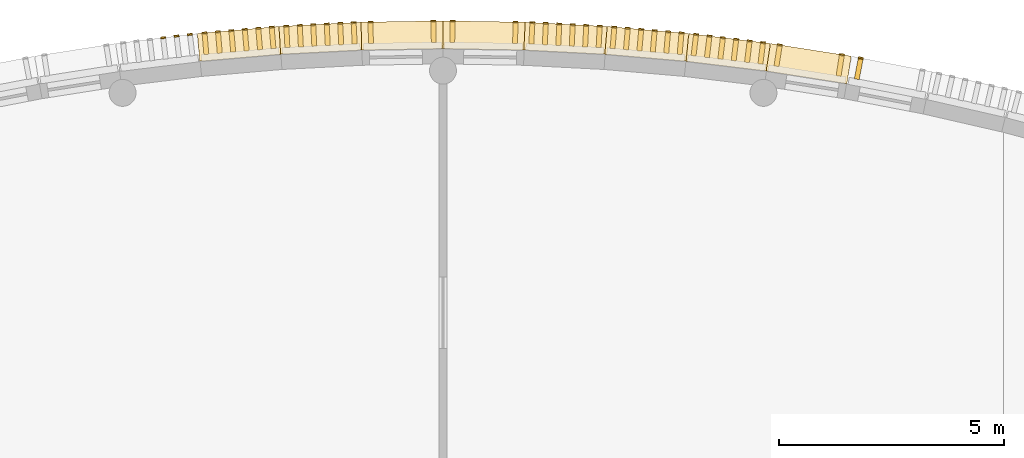
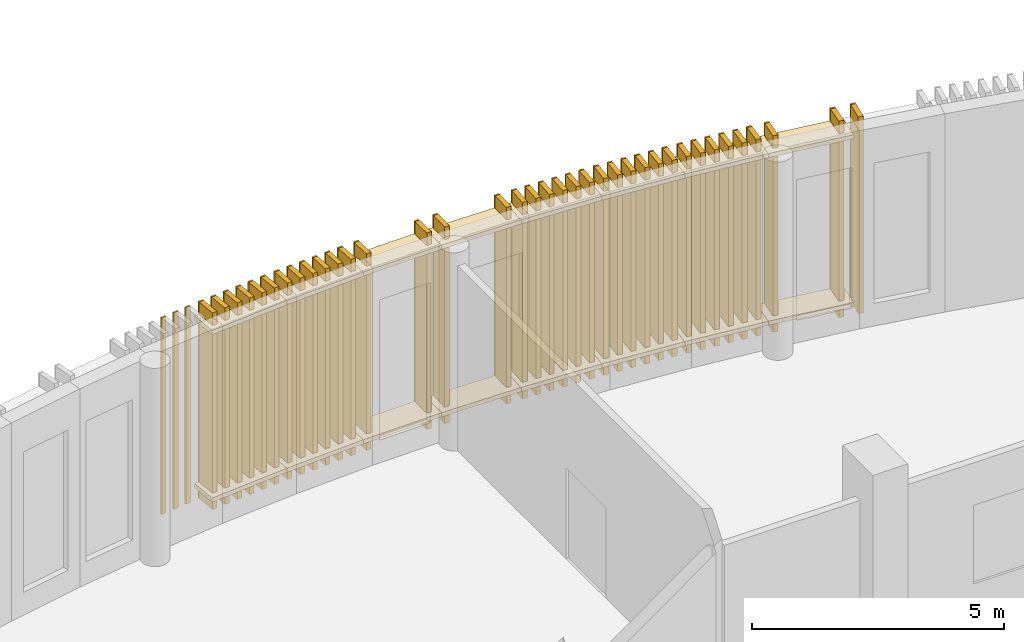
# One storey, part 75 of 82: 56 coverings, 37 shading devices.
"""IFC4 building model written with IfcOpenShell, lengths in metres."""

from ifc_helpers import new_model, si_unit, direction, frame, origin, origin_2d, place, context, subcontext, project, spatial, rectangle, extrude, material, layer, layer_set, type_object, element, save


model = new_model("IFC4")

# Units and contexts
model_context = context("Model", 3, precision=1e-05, world=origin(), true_north=direction((0.0, 1.0)))
body_context = subcontext(model_context, "Body", "Model", "MODEL_VIEW")
ifc_project = project(units=[si_unit("LENGTHUNIT", "METRE"), si_unit("AREAUNIT", "SQUARE_METRE"), si_unit("VOLUMEUNIT", "CUBIC_METRE"), si_unit("PLANEANGLEUNIT", "RADIAN"), si_unit("MASSUNIT", "GRAM", prefix="KILO")], contexts=[model_context])

# Site, building, storey
site_placement = place(None, origin())
site = spatial("IfcSite", under=ifc_project, at=site_placement, CompositionType="ELEMENT")
building_placement = place(site_placement, origin())
building = spatial("IfcBuilding", under=site, at=building_placement, Name="Sardonyx Promenade Sports Hall", CompositionType="ELEMENT")
storey_placement = place(building_placement, frame((0.0, 0.0, 11.199951171875)))
storey = spatial("IfcBuildingStorey", under=building, at=storey_placement, Name="L02", CompositionType="ELEMENT", Elevation=11.199951171875)

# Coverings
ifc_material_1 = material(Name="Glulam GL28h", Category="wood")
ifc_layer = layer(ifc_material_1, 0.110107421875)
ifc_layer_set = layer_set([ifc_layer], Name="Cov_Louvre_GL28h")
covering_type = type_object("IfcCoveringType", Name="Cov_Louvre_GL28h", PredefinedType="MOLDING", material=ifc_layer_set)
for number, where, z_axis, x_axis, name in (
    (1, (47.76953125, 115.61328125, 0.02001953125), (0.0, 0.0, 1.0), (0.992669221255, 0.120862803098, 0.0), "Timber louvre nose molding L02 CH11 #4"),
    (2, (48.067138671875, 115.649658203125, 0.02001953125), (0.0, 0.0, 1.0), (0.992669221255, 0.120862803098, 0.0), "Timber louvre nose molding L02 CH11 #5"),
    (3, (48.364990234375, 115.68603515625, 0.02001953125), (0.0, 0.0, 1.0), (0.992669221255, 0.120862803098, 0.0), "Timber louvre nose molding L02 CH11 #6"),
):
    element("IfcCovering", number, at=place(storey_placement, frame(where, z_axis=z_axis, x_axis=x_axis)), inside=storey, type_object=covering_type, Name=name, PredefinedType="MOLDING", context=body_context, shape_type="SweptSolid", body=[
        extrude(rectangle(XDim=0.110107421875, YDim=0.0400390625, at=origin_2d()), origin(), (0.0, 0.0, 1.0), 4.760009765625),
    ])
for number, where, z_axis, x_axis, name in (
    (4, (49.464599609375, 115.475830078125, 0.320068359375), (0.0, 0.0, 1.0), (0.99625756469, 0.086434164533, 0.0), "Bowed louvre carrier rail L02 CH12 #1"),
    (5, (49.464599609375, 115.475830078125, 4.3798828125), (0.0, 0.0, 1.0), (0.99625756469, 0.086434164533, 0.0), "Bowed louvre carrier rail L02 CH12 #2"),
):
    element("IfcCovering", number, at=place(storey_placement, frame(where, z_axis=z_axis, x_axis=x_axis)), inside=storey, type_object=covering_type, Name=name, PredefinedType="MOLDING", context=body_context, shape_type="SweptSolid", body=[
        extrude(rectangle(XDim=1.820068359375, YDim=0.6201171875, at=origin_2d()), origin(), (0.0, 0.0, 1.0), 0.10009765625),
    ])
for number, where, z_axis, x_axis, name in (
    (6, (48.690673828125, 115.7197265625, 0.02001953125), (0.0, 0.0, 1.0), (0.99625756469, 0.086434164533, 0.0), "Timber louvre nose molding L02 CH12 #1"),
    (7, (48.989501953125, 115.745849609375, 0.02001953125), (0.0, 0.0, 1.0), (0.99625756469, 0.086434164533, 0.0), "Timber louvre nose molding L02 CH12 #2"),
    (8, (49.288330078125, 115.771728515625, 0.02001953125), (0.0, 0.0, 1.0), (0.99625756469, 0.086434164533, 0.0), "Timber louvre nose molding L02 CH12 #3"),
    (9, (49.587158203125, 115.797607421875, 0.02001953125), (0.0, 0.0, 1.0), (0.99625756469, 0.086434164533, 0.0), "Timber louvre nose molding L02 CH12 #4"),
    (10, (49.885986328125, 115.823486328125, 0.02001953125), (0.0, 0.0, 1.0), (0.99625756469, 0.086434164533, 0.0), "Timber louvre nose molding L02 CH12 #5"),
    (11, (50.18505859375, 115.849609375, 0.02001953125), (0.0, 0.0, 1.0), (0.99625756469, 0.086434164533, 0.0), "Timber louvre nose molding L02 CH12 #6"),
):
    element("IfcCovering", number, at=place(storey_placement, frame(where, z_axis=z_axis, x_axis=x_axis)), inside=storey, type_object=covering_type, Name=name, PredefinedType="MOLDING", context=body_context, shape_type="SweptSolid", body=[
        extrude(rectangle(XDim=0.110107421875, YDim=0.0400390625, at=origin_2d()), origin(), (0.0, 0.0, 1.0), 4.760009765625),
    ])
for number, where, z_axis, x_axis, name in (
    (12, (51.276611328125, 115.6015625, 0.320068359375), (0.0, 0.0, 1.0), (0.998652184976, 0.051901959917, 0.0), "Bowed louvre carrier rail L02 CH13 #1"),
    (13, (51.276611328125, 115.6015625, 4.3798828125), (0.0, 0.0, 1.0), (0.998652184976, 0.051901959917, 0.0), "Bowed louvre carrier rail L02 CH13 #2"),
):
    element("IfcCovering", number, at=place(storey_placement, frame(where, z_axis=z_axis, x_axis=x_axis)), inside=storey, type_object=covering_type, Name=name, PredefinedType="MOLDING", context=body_context, shape_type="SweptSolid", body=[
        extrude(rectangle(XDim=1.820068359375, YDim=0.6201171875, at=origin_2d()), origin(), (0.0, 0.0, 1.0), 0.10009765625),
    ])
for number, where, z_axis, x_axis, name in (
    (14, (50.511474609375, 115.8720703125, 0.02001953125), (0.0, 0.0, 1.0), (0.998652184976, 0.051901959917, 0.0), "Timber louvre nose molding L02 CH13 #1"),
    (15, (50.81103515625, 115.8876953125, 0.02001953125), (0.0, 0.0, 1.0), (0.998652184976, 0.051901959917, 0.0), "Timber louvre nose molding L02 CH13 #2"),
    (16, (51.110595703125, 115.9033203125, 0.02001953125), (0.0, 0.0, 1.0), (0.998652184976, 0.051901959917, 0.0), "Timber louvre nose molding L02 CH13 #3"),
    (17, (51.41015625, 115.9189453125, 0.02001953125), (0.0, 0.0, 1.0), (0.998652184976, 0.051901959917, 0.0), "Timber louvre nose molding L02 CH13 #4"),
    (18, (51.7099609375, 115.934326171875, 0.02001953125), (0.0, 0.0, 1.0), (0.998652184976, 0.051901959917, 0.0), "Timber louvre nose molding L02 CH13 #5"),
    (19, (52.009521484375, 115.949951171875, 0.02001953125), (0.0, 0.0, 1.0), (0.998652184976, 0.051901959917, 0.0), "Timber louvre nose molding L02 CH13 #6"),
):
    element("IfcCovering", number, at=place(storey_placement, frame(where, z_axis=z_axis, x_axis=x_axis)), inside=storey, type_object=covering_type, Name=name, PredefinedType="MOLDING", context=body_context, shape_type="SweptSolid", body=[
        extrude(rectangle(XDim=0.110107421875, YDim=0.0400390625, at=origin_2d()), origin(), (0.0, 0.0, 1.0), 4.760009765625),
    ])
for number, where, z_axis, x_axis, name in (
    (20, (53.091796875, 115.664306640625, 0.320068359375), (0.0, 0.0, 1.0), (0.999850212862, 0.01730756599, 0.0), "Bowed louvre carrier rail L02 CH14 #1"),
    (21, (53.091796875, 115.664306640625, 4.3798828125), (0.0, 0.0, 1.0), (0.999850212862, 0.01730756599, 0.0), "Bowed louvre carrier rail L02 CH14 #2"),
):
    element("IfcCovering", number, at=place(storey_placement, frame(where, z_axis=z_axis, x_axis=x_axis)), inside=storey, type_object=covering_type, Name=name, PredefinedType="MOLDING", context=body_context, shape_type="SweptSolid", body=[
        extrude(rectangle(XDim=1.820068359375, YDim=0.6201171875, at=origin_2d()), origin(), (0.0, 0.0, 1.0), 0.10009765625),
    ])
for number, where, z_axis, x_axis, name in (
    (22, (52.386474609375, 115.962158203125, 0.02001953125), (0.0, 0.0, 1.0), (0.999850212862, 0.01730756599, 0.0), "Timber louvre nose molding L02 CH14 #1"),
    (23, (53.786376953125, 115.986328125, 0.02001953125), (0.0, 0.0, 1.0), (0.999850212862, 0.01730756599, 0.0), "Timber louvre nose molding L02 CH14 #2"),
):
    element("IfcCovering", number, at=place(storey_placement, frame(where, z_axis=z_axis, x_axis=x_axis)), inside=storey, type_object=covering_type, Name=name, PredefinedType="MOLDING", context=body_context, shape_type="SweptSolid", body=[
        extrude(rectangle(XDim=0.110107421875, YDim=0.0400390625, at=origin_2d()), origin(), (0.0, 0.0, 1.0), 4.760009765625),
    ])
for number, where, z_axis, x_axis, name in (
    (24, (54.908203125, 115.664306640625, 0.320068359375), (0.0, 0.0, 1.0), (0.999850212862, -0.01730756599, 0.0), "Bowed louvre carrier rail L02 CH15 #1"),
    (25, (54.908203125, 115.664306640625, 4.3798828125), (0.0, 0.0, 1.0), (0.999850212862, -0.01730756599, 0.0), "Bowed louvre carrier rail L02 CH15 #2"),
):
    element("IfcCovering", number, at=place(storey_placement, frame(where, z_axis=z_axis, x_axis=x_axis)), inside=storey, type_object=covering_type, Name=name, PredefinedType="MOLDING", context=body_context, shape_type="SweptSolid", body=[
        extrude(rectangle(XDim=1.820068359375, YDim=0.6201171875, at=origin_2d()), origin(), (0.0, 0.0, 1.0), 0.10009765625),
    ])
for number, where, z_axis, x_axis, name in (
    (26, (54.213623046875, 115.986328125, 0.02001953125), (0.0, 0.0, 1.0), (0.999850212862, -0.01730756599, 0.0), "Timber louvre nose molding L02 CH15 #1"),
    (27, (55.613525390625, 115.962158203125, 0.02001953125), (0.0, 0.0, 1.0), (0.999850212862, -0.01730756599, 0.0), "Timber louvre nose molding L02 CH15 #2"),
):
    element("IfcCovering", number, at=place(storey_placement, frame(where, z_axis=z_axis, x_axis=x_axis)), inside=storey, type_object=covering_type, Name=name, PredefinedType="MOLDING", context=body_context, shape_type="SweptSolid", body=[
        extrude(rectangle(XDim=0.110107421875, YDim=0.0400390625, at=origin_2d()), origin(), (0.0, 0.0, 1.0), 4.760009765625),
    ])
for number, where, z_axis, x_axis, name in (
    (28, (56.723388671875, 115.6015625, 0.320068359375), (0.0, 0.0, 1.0), (0.998652184976, -0.051901959917, 0.0), "Bowed louvre carrier rail L02 CH16 #1"),
    (29, (56.723388671875, 115.6015625, 4.3798828125), (0.0, 0.0, 1.0), (0.998652184976, -0.051901959917, 0.0), "Bowed louvre carrier rail L02 CH16 #2"),
):
    element("IfcCovering", number, at=place(storey_placement, frame(where, z_axis=z_axis, x_axis=x_axis)), inside=storey, type_object=covering_type, Name=name, PredefinedType="MOLDING", context=body_context, shape_type="SweptSolid", body=[
        extrude(rectangle(XDim=1.820068359375, YDim=0.6201171875, at=origin_2d()), origin(), (0.0, 0.0, 1.0), 0.10009765625),
    ])
for number, where, z_axis, x_axis, name in (
    (30, (55.990478515625, 115.949951171875, 0.02001953125), (0.0, 0.0, 1.0), (0.998652184976, -0.051901959917, 0.0), "Timber louvre nose molding L02 CH16 #1"),
    (31, (56.2900390625, 115.934326171875, 0.02001953125), (0.0, 0.0, 1.0), (0.998652184976, -0.051901959917, 0.0), "Timber louvre nose molding L02 CH16 #2"),
    (32, (56.58984375, 115.9189453125, 0.02001953125), (0.0, 0.0, 1.0), (0.998652184976, -0.051901959917, 0.0), "Timber louvre nose molding L02 CH16 #3"),
    (33, (56.889404296875, 115.9033203125, 0.02001953125), (0.0, 0.0, 1.0), (0.998652184976, -0.051901959917, 0.0), "Timber louvre nose molding L02 CH16 #4"),
    (34, (57.18896484375, 115.8876953125, 0.02001953125), (0.0, 0.0, 1.0), (0.998652184976, -0.051901959917, 0.0), "Timber louvre nose molding L02 CH16 #5"),
    (35, (57.488525390625, 115.8720703125, 0.02001953125), (0.0, 0.0, 1.0), (0.998652184976, -0.051901959917, 0.0), "Timber louvre nose molding L02 CH16 #6"),
):
    element("IfcCovering", number, at=place(storey_placement, frame(where, z_axis=z_axis, x_axis=x_axis)), inside=storey, type_object=covering_type, Name=name, PredefinedType="MOLDING", context=body_context, shape_type="SweptSolid", body=[
        extrude(rectangle(XDim=0.110107421875, YDim=0.0400390625, at=origin_2d()), origin(), (0.0, 0.0, 1.0), 4.760009765625),
    ])
for number, where, z_axis, x_axis, name in (
    (36, (58.535400390625, 115.475830078125, 0.320068359375), (0.0, 0.0, 1.0), (0.99625756469, -0.086434164533, 0.0), "Bowed louvre carrier rail L02 CH17 #1"),
    (37, (58.535400390625, 115.475830078125, 4.3798828125), (0.0, 0.0, 1.0), (0.99625756469, -0.086434164533, 0.0), "Bowed louvre carrier rail L02 CH17 #2"),
):
    element("IfcCovering", number, at=place(storey_placement, frame(where, z_axis=z_axis, x_axis=x_axis)), inside=storey, type_object=covering_type, Name=name, PredefinedType="MOLDING", context=body_context, shape_type="SweptSolid", body=[
        extrude(rectangle(XDim=1.820068359375, YDim=0.6201171875, at=origin_2d()), origin(), (0.0, 0.0, 1.0), 0.10009765625),
    ])
for number, where, z_axis, x_axis, name in (
    (38, (57.81494140625, 115.849609375, 0.02001953125), (0.0, 0.0, 1.0), (0.99625756469, -0.086434164533, 0.0), "Timber louvre nose molding L02 CH17 #1"),
    (39, (58.114013671875, 115.823486328125, 0.02001953125), (0.0, 0.0, 1.0), (0.99625756469, -0.086434164533, 0.0), "Timber louvre nose molding L02 CH17 #2"),
    (40, (58.412841796875, 115.797607421875, 0.02001953125), (0.0, 0.0, 1.0), (0.99625756469, -0.086434164533, 0.0), "Timber louvre nose molding L02 CH17 #3"),
    (41, (58.711669921875, 115.771728515625, 0.02001953125), (0.0, 0.0, 1.0), (0.99625756469, -0.086434164533, 0.0), "Timber louvre nose molding L02 CH17 #4"),
    (42, (59.010498046875, 115.745849609375, 0.02001953125), (0.0, 0.0, 1.0), (0.99625756469, -0.086434164533, 0.0), "Timber louvre nose molding L02 CH17 #5"),
    (43, (59.309326171875, 115.7197265625, 0.02001953125), (0.0, 0.0, 1.0), (0.99625756469, -0.086434164533, 0.0), "Timber louvre nose molding L02 CH17 #6"),
):
    element("IfcCovering", number, at=place(storey_placement, frame(where, z_axis=z_axis, x_axis=x_axis)), inside=storey, type_object=covering_type, Name=name, PredefinedType="MOLDING", context=body_context, shape_type="SweptSolid", body=[
        extrude(rectangle(XDim=0.110107421875, YDim=0.0400390625, at=origin_2d()), origin(), (0.0, 0.0, 1.0), 4.760009765625),
    ])
for number, where, z_axis, x_axis, name in (
    (44, (60.342041015625, 115.28759765625, 0.320068359375), (0.0, 0.0, 1.0), (0.992669221255, -0.120862803098, 0.0), "Bowed louvre carrier rail L02 CH18 #1"),
    (45, (60.342041015625, 115.28759765625, 4.3798828125), (0.0, 0.0, 1.0), (0.992669221255, -0.120862803098, 0.0), "Bowed louvre carrier rail L02 CH18 #2"),
):
    element("IfcCovering", number, at=place(storey_placement, frame(where, z_axis=z_axis, x_axis=x_axis)), inside=storey, type_object=covering_type, Name=name, PredefinedType="MOLDING", context=body_context, shape_type="SweptSolid", body=[
        extrude(rectangle(XDim=1.820068359375, YDim=0.6201171875, at=origin_2d()), origin(), (0.0, 0.0, 1.0), 0.10009765625),
    ])
for number, where, z_axis, x_axis, name in (
    (46, (59.635009765625, 115.68603515625, 0.02001953125), (0.0, 0.0, 1.0), (0.992669221255, -0.120862803098, 0.0), "Timber louvre nose molding L02 CH18 #1"),
    (47, (59.932861328125, 115.649658203125, 0.02001953125), (0.0, 0.0, 1.0), (0.992669221255, -0.120862803098, 0.0), "Timber louvre nose molding L02 CH18 #2"),
    (48, (60.23046875, 115.61328125, 0.02001953125), (0.0, 0.0, 1.0), (0.992669221255, -0.120862803098, 0.0), "Timber louvre nose molding L02 CH18 #3"),
    (49, (60.5283203125, 115.5771484375, 0.02001953125), (0.0, 0.0, 1.0), (0.992669221255, -0.120862803098, 0.0), "Timber louvre nose molding L02 CH18 #4"),
    (50, (60.826171875, 115.540771484375, 0.02001953125), (0.0, 0.0, 1.0), (0.992669221255, -0.120862803098, 0.0), "Timber louvre nose molding L02 CH18 #5"),
    (51, (61.1240234375, 115.504638671875, 0.02001953125), (0.0, 0.0, 1.0), (0.992669221255, -0.120862803098, 0.0), "Timber louvre nose molding L02 CH18 #6"),
):
    element("IfcCovering", number, at=place(storey_placement, frame(where, z_axis=z_axis, x_axis=x_axis)), inside=storey, type_object=covering_type, Name=name, PredefinedType="MOLDING", context=body_context, shape_type="SweptSolid", body=[
        extrude(rectangle(XDim=0.110107421875, YDim=0.0400390625, at=origin_2d()), origin(), (0.0, 0.0, 1.0), 4.760009765625),
    ])
for number, where, z_axis, x_axis, name in (
    (52, (62.140869140625, 115.036865234375, 0.320068359375), (0.0, 0.0, 1.0), (0.987891183468, -0.155148347157, 0.0), "Bowed louvre carrier rail L02 CH19 #1"),
    (53, (62.140869140625, 115.036865234375, 4.3798828125), (0.0, 0.0, 1.0), (0.987891183468, -0.155148347157, 0.0), "Bowed louvre carrier rail L02 CH19 #2"),
):
    element("IfcCovering", number, at=place(storey_placement, frame(where, z_axis=z_axis, x_axis=x_axis)), inside=storey, type_object=covering_type, Name=name, PredefinedType="MOLDING", context=body_context, shape_type="SweptSolid", body=[
        extrude(rectangle(XDim=1.820068359375, YDim=0.6201171875, at=origin_2d()), origin(), (0.0, 0.0, 1.0), 0.10009765625),
    ])
for number, where, z_axis, x_axis, name in (
    (54, (61.49755859375, 115.45166015625, 0.02001953125), (0.0, 0.0, 1.0), (0.987891183468, -0.155148347157, 0.0), "Timber louvre nose molding L02 CH19 #1"),
    (55, (62.880615234375, 115.234375, 0.02001953125), (0.0, 0.0, 1.0), (0.987891183468, -0.155148347157, 0.0), "Timber louvre nose molding L02 CH19 #2"),
    (56, (63.301513671875, 115.160888671875, 0.02001953125), (0.0, 0.0, 1.0), (0.981929658139, -0.18924625879, 0.0), "Timber louvre nose molding L02 CH20 #1"),
):
    element("IfcCovering", number, at=place(storey_placement, frame(where, z_axis=z_axis, x_axis=x_axis)), inside=storey, type_object=covering_type, Name=name, PredefinedType="MOLDING", context=body_context, shape_type="SweptSolid", body=[
        extrude(rectangle(XDim=0.110107421875, YDim=0.0400390625, at=origin_2d()), origin(), (0.0, 0.0, 1.0), 4.760009765625),
    ])

# Shading devices
ifc_material_2 = material(Name="Glulam GL28h", Category="wood")
shading_device_type_1 = type_object("IfcShadingDeviceType", Name="Shade_Fin_GL28h", PredefinedType="USERDEFINED", material=ifc_material_2)
for number, where, z_axis, x_axis, name in (
    (57, (52.390894, 115.712227, 0.020049), (0.0, 0.0, 1.0), (0.99985021, 0.01730757, 0.0), "Timber fin TF01 L02 CH14 #1"),
    (58, (53.790684, 115.736458, 0.020049), (0.0, 0.0, 1.0), (0.99985021, 0.01730757, 0.0), "Timber fin TF01 L02 CH14 #2"),
    (59, (54.209316, 115.736458, 0.020049), (0.0, 0.0, 1.0), (0.99985021, -0.01730757, 0.0), "Timber fin TF01 L02 CH15 #1"),
    (60, (55.609107, 115.712227, 0.020049), (0.0, 0.0, 1.0), (0.99985021, -0.01730757, 0.0), "Timber fin TF01 L02 CH15 #2"),
    (61, (61.45873, 115.204717, 0.020049), (0.0, 0.0, 1.0), (0.98789118, -0.15514835, 0.0), "Timber fin TF01 L02 CH19 #1"),
    (62, (62.841778, 114.98751, 0.020049), (0.0, 0.0, 1.0), (0.98789118, -0.15514835, 0.0), "Timber fin TF01 L02 CH19 #2"),
    (63, (63.254156, 114.915412, 0.020049), (0.0, 0.0, 1.0), (0.98192966, -0.18924626, 0.0), "Timber fin TF01 L02 CH20 #1"),
):
    element("IfcShadingDevice", number, at=place(storey_placement, frame(where, z_axis=z_axis, x_axis=x_axis)), inside=storey, type_object=shading_device_type_1, material=ifc_material_2, Name=name, ObjectType="FIN", PredefinedType="USERDEFINED", context=body_context, shape_type="SweptSolid", body=[
        extrude(rectangle(XDim=0.11, YDim=0.46), origin(), (0.0, 0.0, 1.0), 4.76),
    ])
shading_device_type_2 = type_object("IfcShadingDeviceType", Name="Shade_Louvre_GL28h", PredefinedType="USERDEFINED", material=ifc_material_2)
for number, where, z_axis, x_axis, name in (
    (64, (48.712196, 115.470783, 0.020049), (0.0, 0.0, 1.0), (0.99625756, 0.08643416, 0.0), "Timber louvre TL01 L02 CH12 #1"),
    (65, (49.011073, 115.496714, 0.020049), (0.0, 0.0, 1.0), (0.99625756, 0.08643416, 0.0), "Timber louvre TL01 L02 CH12 #2"),
    (66, (49.30995, 115.522644, 0.020049), (0.0, 0.0, 1.0), (0.99625756, 0.08643416, 0.0), "Timber louvre TL01 L02 CH12 #3"),
    (67, (49.608827, 115.548575, 0.020049), (0.0, 0.0, 1.0), (0.99625756, 0.08643416, 0.0), "Timber louvre TL01 L02 CH12 #4"),
    (68, (49.907705, 115.574505, 0.020049), (0.0, 0.0, 1.0), (0.99625756, 0.08643416, 0.0), "Timber louvre TL01 L02 CH12 #5"),
    (69, (50.206582, 115.600436, 0.020049), (0.0, 0.0, 1.0), (0.99625756, 0.08643416, 0.0), "Timber louvre TL01 L02 CH12 #6"),
    (70, (50.524467, 115.62248, 0.020049), (0.0, 0.0, 1.0), (0.99865218, 0.05190196, 0.0), "Timber louvre TL01 L02 CH13 #1"),
    (71, (50.824062, 115.63805, 0.020049), (0.0, 0.0, 1.0), (0.99865218, 0.05190196, 0.0), "Timber louvre TL01 L02 CH13 #2"),
    (72, (51.123658, 115.653621, 0.020049), (0.0, 0.0, 1.0), (0.99865218, 0.05190196, 0.0), "Timber louvre TL01 L02 CH13 #3"),
    (73, (51.423254, 115.669192, 0.020049), (0.0, 0.0, 1.0), (0.99865218, 0.05190196, 0.0), "Timber louvre TL01 L02 CH13 #4"),
    (74, (51.722849, 115.684762, 0.020049), (0.0, 0.0, 1.0), (0.99865218, 0.05190196, 0.0), "Timber louvre TL01 L02 CH13 #5"),
    (75, (52.022445, 115.700333, 0.020049), (0.0, 0.0, 1.0), (0.99865218, 0.05190196, 0.0), "Timber louvre TL01 L02 CH13 #6"),
    (76, (55.977555, 115.700333, 0.020049), (0.0, 0.0, 1.0), (0.99865218, -0.05190196, 0.0), "Timber louvre TL01 L02 CH16 #1"),
    (77, (56.277151, 115.684762, 0.020049), (0.0, 0.0, 1.0), (0.99865218, -0.05190196, 0.0), "Timber louvre TL01 L02 CH16 #2"),
    (78, (56.576746, 115.669192, 0.020049), (0.0, 0.0, 1.0), (0.99865218, -0.05190196, 0.0), "Timber louvre TL01 L02 CH16 #3"),
    (79, (56.876342, 115.653621, 0.020049), (0.0, 0.0, 1.0), (0.99865218, -0.05190196, 0.0), "Timber louvre TL01 L02 CH16 #4"),
    (80, (57.175938, 115.63805, 0.020049), (0.0, 0.0, 1.0), (0.99865218, -0.05190196, 0.0), "Timber louvre TL01 L02 CH16 #5"),
    (81, (57.475533, 115.62248, 0.020049), (0.0, 0.0, 1.0), (0.99865218, -0.05190196, 0.0), "Timber louvre TL01 L02 CH16 #6"),
    (82, (57.793418, 115.600436, 0.020049), (0.0, 0.0, 1.0), (0.99625756, -0.08643416, 0.0), "Timber louvre TL01 L02 CH17 #1"),
    (83, (58.092295, 115.574505, 0.020049), (0.0, 0.0, 1.0), (0.99625756, -0.08643416, 0.0), "Timber louvre TL01 L02 CH17 #2"),
    (84, (58.391172, 115.548575, 0.020049), (0.0, 0.0, 1.0), (0.99625756, -0.08643416, 0.0), "Timber louvre TL01 L02 CH17 #3"),
    (85, (58.690049, 115.522644, 0.020049), (0.0, 0.0, 1.0), (0.99625756, -0.08643416, 0.0), "Timber louvre TL01 L02 CH17 #4"),
    (86, (58.988927, 115.496714, 0.020049), (0.0, 0.0, 1.0), (0.99625756, -0.08643416, 0.0), "Timber louvre TL01 L02 CH17 #5"),
    (87, (59.287804, 115.470783, 0.020049), (0.0, 0.0, 1.0), (0.99625756, -0.08643416, 0.0), "Timber louvre TL01 L02 CH17 #6"),
    (88, (59.604735, 115.437751, 0.020049), (0.0, 0.0, 1.0), (0.99266922, -0.1208628, 0.0), "Timber louvre TL01 L02 CH18 #1"),
    (89, (59.902535, 115.401492, 0.020049), (0.0, 0.0, 1.0), (0.99266922, -0.1208628, 0.0), "Timber louvre TL01 L02 CH18 #2"),
    (90, (60.200336, 115.365233, 0.020049), (0.0, 0.0, 1.0), (0.99266922, -0.1208628, 0.0), "Timber louvre TL01 L02 CH18 #3"),
    (91, (60.498137, 115.328974, 0.020049), (0.0, 0.0, 1.0), (0.99266922, -0.1208628, 0.0), "Timber louvre TL01 L02 CH18 #4"),
    (92, (60.795938, 115.292715, 0.020049), (0.0, 0.0, 1.0), (0.99266922, -0.1208628, 0.0), "Timber louvre TL01 L02 CH18 #5"),
    (93, (61.093738, 115.256456, 0.020049), (0.0, 0.0, 1.0), (0.99266922, -0.1208628, 0.0), "Timber louvre TL01 L02 CH18 #6"),
):
    element("IfcShadingDevice", number, at=place(storey_placement, frame(where, z_axis=z_axis, x_axis=x_axis)), inside=storey, type_object=shading_device_type_2, material=ifc_material_2, Name=name, ObjectType="LOUVRE", PredefinedType="USERDEFINED", context=body_context, shape_type="SweptSolid", body=[
        extrude(rectangle(XDim=0.11, YDim=0.46), origin(), (0.0, 0.0, 1.0), 4.76),
    ])

save(model, "model.ifc")
